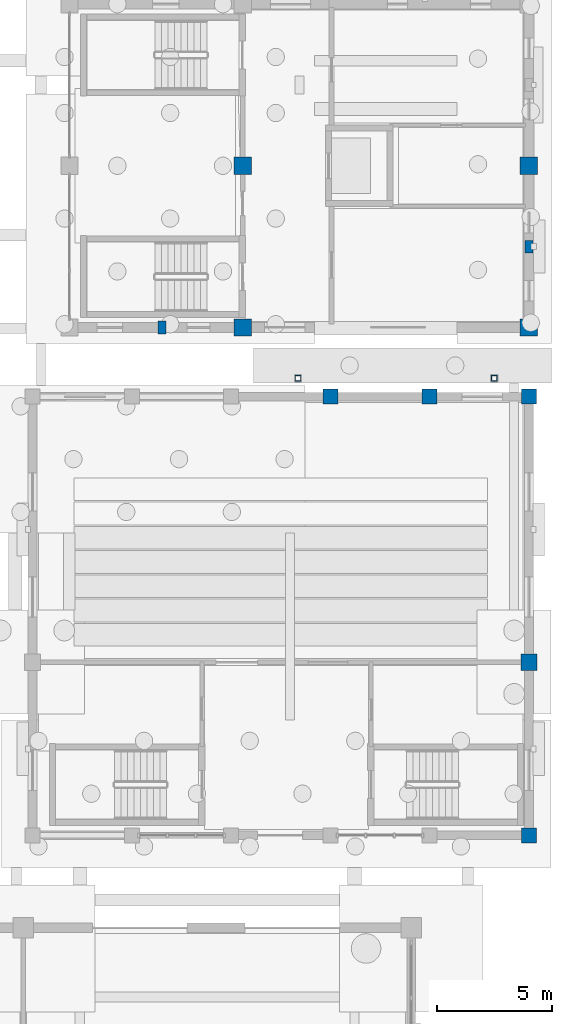
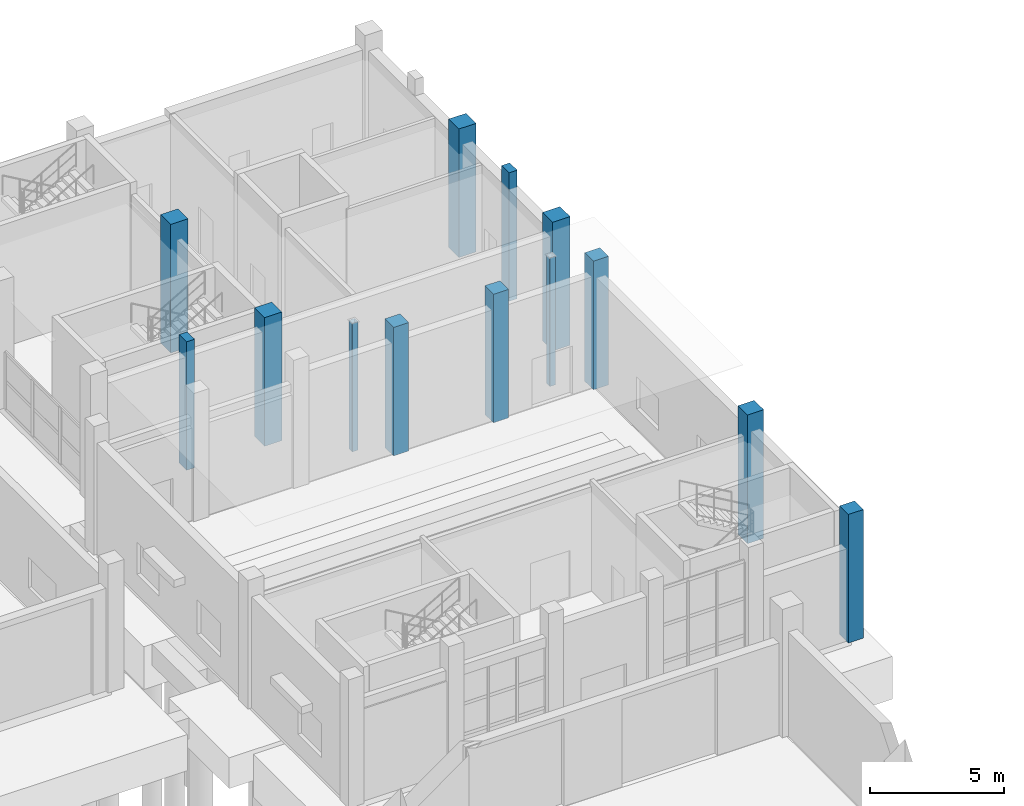
# One storey, part 12 of 60: 13 columns.
"""IFC4 building model written with IfcOpenShell, lengths in metres."""

from ifc_helpers import new_model, si_unit, direction, frame, origin, origin_2d, place, context, subcontext, project, spatial, rectangle, hollow_rectangle, extrude, material, material_profile, profile_set, type_object, element, save


model = new_model("IFC4")

# Units and contexts
model_context = context("Model", 3, precision=1e-05, world=origin(), true_north=direction((0.0, 1.0)))
body_context = subcontext(model_context, "Body", "Model", "MODEL_VIEW")
ifc_project = project(units=[si_unit("LENGTHUNIT", "METRE"), si_unit("AREAUNIT", "SQUARE_METRE"), si_unit("VOLUMEUNIT", "CUBIC_METRE"), si_unit("PLANEANGLEUNIT", "RADIAN"), si_unit("MASSUNIT", "GRAM", prefix="KILO")], contexts=[model_context])

# Site, building, storey
site_placement = place(None, origin())
site = spatial("IfcSite", under=ifc_project, at=site_placement, CompositionType="ELEMENT")
building_placement = place(site_placement, origin())
building = spatial("IfcBuilding", under=site, at=building_placement, Name="Trellovar Central Fire Station", CompositionType="ELEMENT")
storey_placement = place(building_placement, origin())
storey = spatial("IfcBuildingStorey", under=building, at=storey_placement, Name="L01", CompositionType="ELEMENT", Elevation=0.0)

# Columns
ifc_material_1 = material(Name="Concrete C40/50", Category="concrete")
ifc_material_profile_1 = material_profile(ifc_material_1, rectangle(XDim=0.75, YDim=0.75, at=origin_2d()), Name="RC750X750")
ifc_profile_set_1 = profile_set([ifc_material_profile_1], Name="Concrete C40/50")
column_type_1 = type_object("IfcColumnType", Name="COL-C2", PredefinedType="COLUMN", material=ifc_profile_set_1)
for number, where, z_axis, x_axis, name in (
    (1, (148.60009765625, 59.0, 0.0), (0.0, 0.0, 1.0), (1.0, 0.0, 0.0), "L01 column C-2"),
    (2, (148.60009765625, 66.0, 0.0), (0.0, 0.0, 1.0), (1.0, 0.0, 0.0), "L01 column C-2"),
    (3, (161.0, 59.0, 0.0), (0.0, 0.0, 1.0), (1.0, 0.0, 0.0), "L01 column C-2"),
    (4, (161.0, 66.0, 0.0), (0.0, 0.0, 1.0), (1.0, 0.0, 0.0), "L01 column C-2"),
):
    element("IfcColumn", number, at=place(storey_placement, frame(where, z_axis=z_axis, x_axis=x_axis)), inside=storey, type_object=column_type_1, Name=name, PredefinedType="COLUMN", context=body_context, shape_type="SweptSolid", body=[
        extrude(rectangle(XDim=0.75, YDim=0.75, at=origin_2d()), origin(), (0.0, 0.0, 1.0), 5.85009765625),
    ])
ifc_material_2 = material(Name="Concrete C40/50", Category="concrete")
ifc_material_profile_2 = material_profile(ifc_material_2, rectangle(XDim=0.699951171875, YDim=0.699951171875, at=origin_2d()), Name="RC700X700")
ifc_profile_set_2 = profile_set([ifc_material_profile_2], Name="Concrete C40/50")
column_type_2 = type_object("IfcColumnType", Name="COL-C4", PredefinedType="COLUMN", material=ifc_profile_set_2)
column_placement = place(storey_placement, frame((161.0, 44.5, 0.0), z_axis=(0.0, 0.0, 1.0), x_axis=(1.0, 0.0, 0.0)))
element("IfcColumn", 5, at=column_placement, inside=storey, type_object=column_type_2, Name="L01 column C-4", PredefinedType="COLUMN", context=body_context, shape_type="SweptSolid", body=[
    extrude(rectangle(XDim=0.699951171875, YDim=0.699951171875, at=origin_2d()), origin(), (0.0, 0.0, 1.0), 5.85009765625),
])
ifc_material_3 = material(Name="Concrete C40/50", Category="concrete")
ifc_material_profile_3 = material_profile(ifc_material_3, rectangle(XDim=0.64990234375, YDim=0.64990234375, at=origin_2d()), Name="RC650X650")
ifc_profile_set_3 = profile_set([ifc_material_profile_3], Name="Concrete C40/50")
column_type_3 = type_object("IfcColumnType", Name="COL-C5", PredefinedType="COLUMN", material=ifc_profile_set_3)
for number, where, z_axis, x_axis, name in (
    (6, (152.39990234375, 56.0, 0.0), (0.0, 0.0, 1.0), (1.0, 0.0, 0.0), "L01 column C-5"),
    (7, (156.699951171875, 56.0, 0.0), (0.0, 0.0, 1.0), (1.0, 0.0, 0.0), "L01 column C-5"),
    (8, (161.0, 37.0, 0.0), (0.0, 0.0, 1.0), (1.0, 0.0, 0.0), "L01 column C-5"),
    (9, (161.0, 56.0, 0.0), (0.0, 0.0, 1.0), (1.0, 0.0, 0.0), "L01 column C-5"),
):
    element("IfcColumn", number, at=place(storey_placement, frame(where, z_axis=z_axis, x_axis=x_axis)), inside=storey, type_object=column_type_3, Name=name, PredefinedType="COLUMN", context=body_context, shape_type="SweptSolid", body=[
        extrude(rectangle(XDim=0.64990234375, YDim=0.64990234375, at=origin_2d()), origin(), (0.0, 0.0, 1.0), 5.85009765625),
    ])
ifc_material_4 = material(Name="Concrete C40/50", Category="concrete")
ifc_material_profile_4 = material_profile(ifc_material_4, rectangle(XDim=0.35009765625, YDim=0.550048828125, at=origin_2d()), Name="RC350X550")
ifc_profile_set_4 = profile_set([ifc_material_profile_4], Name="Concrete C40/50")
column_type_4 = type_object("IfcColumnType", Name="COL-PIL2", PredefinedType="PILASTER", material=ifc_profile_set_4)
for number, where, z_axis, x_axis, name in (
    (10, (145.10009765625, 59.0, 0.0), (0.0, 0.0, 1.0), (1.0, 0.0, 0.0), "V2 drill tower vertical buttress fin L01-1"),
    (11, (161.0, 62.5, 0.0), (0.0, 0.0, 1.0), (1.0, 0.0, 0.0), "V2 drill tower vertical buttress fin L01-2"),
):
    element("IfcColumn", number, at=place(storey_placement, frame(where, z_axis=z_axis, x_axis=x_axis)), inside=storey, type_object=column_type_4, Name=name, PredefinedType="PILASTER", context=body_context, shape_type="SweptSolid", body=[
        extrude(rectangle(XDim=0.35009765625, YDim=0.550048828125, at=origin_2d()), origin(), (0.0, 0.0, 1.0), 5.85009765625),
    ])
ifc_material_5 = material(Name="Steel ASTM A500 Grade C", Category="steel")
ifc_material_profile_5 = material_profile(ifc_material_5, hollow_rectangle(XDim=0.25390625, YDim=0.25390625, WallThickness=0.01171875, InnerFilletRadius=0.01171875, OuterFilletRadius=0.023681640625, at=origin_2d()), Name="HSS10X10X1/2")
ifc_profile_set_5 = profile_set([ifc_material_profile_5], Name="Steel ASTM A500 Grade C")
column_type_5 = type_object("IfcColumnType", Name="COL-SC4", PredefinedType="COLUMN", material=ifc_profile_set_5)
for number, where, z_axis, x_axis, name in (
    (12, (151.0, 56.800048828125, 0.0), (0.0, 0.0, 1.0), (1.0, 0.0, 0.0), "V2 L01 training balcony support post"),
    (13, (159.5, 56.800048828125, 0.0), (0.0, 0.0, 1.0), (1.0, 0.0, 0.0), "V2 L01 training balcony support post"),
):
    element("IfcColumn", number, at=place(storey_placement, frame(where, z_axis=z_axis, x_axis=x_axis)), inside=storey, type_object=column_type_5, Name=name, PredefinedType="COLUMN", context=body_context, shape_type="SweptSolid", body=[
        extrude(hollow_rectangle(XDim=0.25390625, YDim=0.25390625, WallThickness=0.01171875, InnerFilletRadius=0.01171875, OuterFilletRadius=0.023681640625, at=origin_2d()), origin(), (0.0, 0.0, 1.0), 5.85009765625),
    ])

save(model, "model.ifc")
